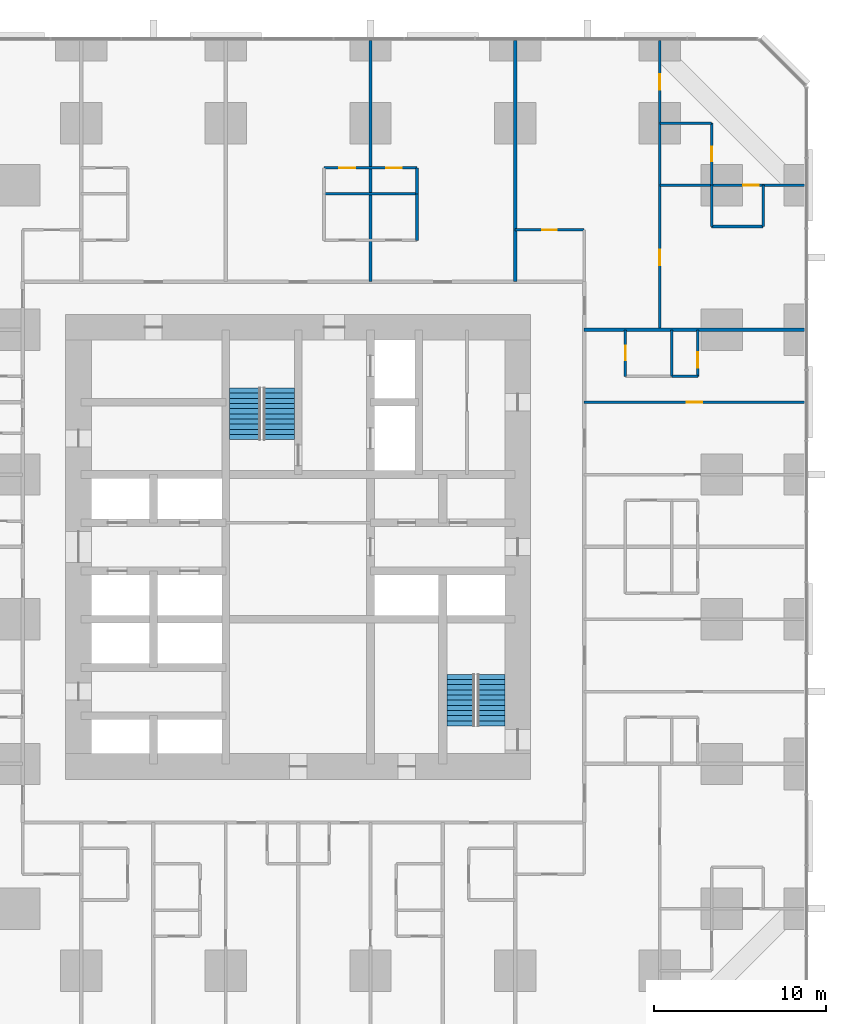
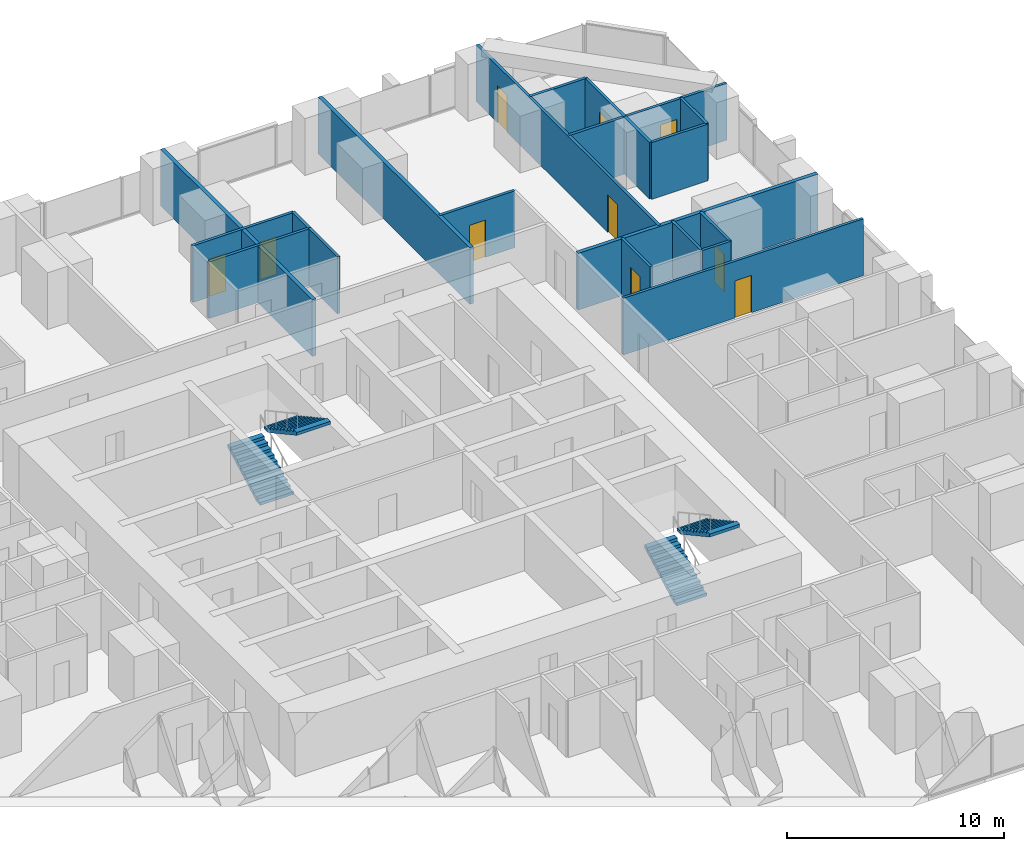
# One storey, part 15 of 16: 20 walls, 10 doors, 4 stair flights, 10 openings, 2 elements without a shape of their own.
"""IFC4 building model written with IfcOpenShell, lengths in metres."""

from ifc_helpers import new_model, si_unit, direction, frame, frame_2d, origin, place, context, subcontext, project, spatial, polyline, rectangle, outline, extrude, material, layer, layer_set, type_object, element, fill, aggregate, save


model = new_model("IFC4")

# Units and contexts
model_context = context("Model", 3, precision=1e-05, world=origin(), true_north=direction((0.0, 1.0)))
body_context = subcontext(model_context, "Body", "Model", "MODEL_VIEW")
ifc_project = project(units=[si_unit("LENGTHUNIT", "METRE"), si_unit("AREAUNIT", "SQUARE_METRE"), si_unit("VOLUMEUNIT", "CUBIC_METRE"), si_unit("PLANEANGLEUNIT", "RADIAN"), si_unit("MASSUNIT", "GRAM", prefix="KILO")], contexts=[model_context])

# Site, building, storey
site_placement = place(None, origin())
site = spatial("IfcSite", under=ifc_project, at=site_placement, CompositionType="ELEMENT")
building_placement = place(site_placement, origin())
building = spatial("IfcBuilding", under=site, at=building_placement, Name="Dunama Terrace Hotel", CompositionType="ELEMENT")
storey_placement = place(building_placement, frame((0.0, 0.0, 84.60009765625)))
storey = spatial("IfcBuildingStorey", under=building, at=storey_placement, Name="L21", CompositionType="ELEMENT", Elevation=84.60009765625)

# Wall
ifc_material_1 = material(Name="Gypsum board partition", Category="masonry")
ifc_layer_1 = layer(ifc_material_1, 0.14990234375)
ifc_layer_set_1 = layer_set([ifc_layer_1], Name="Bathroom partition 150")
wall_type_1 = type_object("IfcWallType", Name="Bathroom partition 150", PredefinedType="PARTITIONING", material=ifc_layer_set_1)
wall_1_placement = place(storey_placement, frame((36.300048828125, 47.199951171875, 0.0), z_axis=(0.0, 0.0, 1.0), x_axis=(0.0, 1.0, 0.0)))
element("IfcWall", 1, at=wall_1_placement, inside=storey, type_object=wall_type_1, Name="Bathroom partition 150 L21", PredefinedType="PARTITIONING", context=body_context, shape_type="SweptSolid", body=[
    extrude(rectangle(XDim=2.699951171875, YDim=0.14990234375, at=frame_2d((1.35009765625, 0.0))), origin(), (0.0, 0.0, 1.0), 3.199951171875),
])

# Wall, opening, door
wall_2_placement = place(storey_placement, frame((48.39990234375, 39.300048828125, 0.0), z_axis=(0.0, 0.0, 1.0), x_axis=(0.0, 1.0, 0.0)))
wall_2 = element("IfcWall", 2, at=wall_2_placement, inside=storey, type_object=wall_type_1, Name="Bathroom partition 150 L21", PredefinedType="PARTITIONING", context=body_context, shape_type="SweptSolid", body=[
    extrude(rectangle(XDim=2.699951171875, YDim=0.14990234375, at=frame_2d((1.35009765625, 0.0))), origin(), (0.0, 0.0, 1.0), 3.199951171875),
])
opening_1_placement = place(wall_2_placement, frame((0.925048828125, 0.0, 0.0)))
opening_1 = element("IfcOpeningElement", 3, at=opening_1_placement, cuts=wall_2, Name="Opening L21-032", PredefinedType="OPENING", context=body_context, shape_type="SweptSolid", body=[
    extrude(rectangle(XDim=0.85009765625, YDim=2.10009765625, at=frame_2d((0.425048828125, 1.050048828125))), frame((0.0, 0.0849609375, 0.0), z_axis=(0.0, -1.0, 0.0), x_axis=(1.0, 0.0, 0.0)), (0.0, 0.0, 1.0), 0.169921875),
])
ifc_material_2 = material(Name="Timber door with steel frame", Category="steel")
door_type_1 = type_object("IfcDoorType", Name="Bathroom door 850", OperationType="SINGLE_SWING_LEFT", PredefinedType="DOOR", material=ifc_material_2)
door_1_placement = place(opening_1_placement, frame((0.85009765625, 0.0, 0.0), z_axis=(0.0, 0.0, 1.0), x_axis=(-1.0, 0.0, 0.0)))
door_1 = element("IfcDoor", 4, at=door_1_placement, inside=storey, type_object=door_type_1, Name="Door to en-suite bathroom L21-032, type D2", OperationType="SINGLE_SWING_LEFT", OverallHeight=2.10009765625, OverallWidth=0.85009765625, PredefinedType="DOOR", context=body_context, shape_type="SweptSolid", body=[
    extrude(rectangle(XDim=0.85009765625, YDim=2.10009765625, at=frame_2d((0.425048828125, 1.050048828125))), frame((0.0, 0.025146484375, 0.0), z_axis=(0.0, -1.0, 0.0), x_axis=(1.0, 0.0, 0.0)), (0.0, 0.0, 1.0), 0.050048828125),
])
fill(opening_1, door_1)

wall_3_placement = place(storey_placement, frame((53.39990234375, 50.39990234375, 0.0), z_axis=(0.0, 0.0, 1.0), x_axis=(0.0, 1.0, 0.0)))
wall_3 = element("IfcWall", 5, at=wall_3_placement, inside=storey, type_object=wall_type_1, Name="Bathroom partition 150 L21", PredefinedType="PARTITIONING", context=body_context, shape_type="SweptSolid", body=[
    extrude(rectangle(XDim=3.60009765625, YDim=0.14990234375, at=frame_2d((1.800048828125, 0.0))), origin(), (0.0, 0.0, 1.0), 3.199951171875),
])
opening_2_placement = place(wall_3_placement, frame((1.375, 0.0, 0.0)))
opening_2 = element("IfcOpeningElement", 6, at=opening_2_placement, cuts=wall_3, Name="Opening L21-075", PredefinedType="OPENING", context=body_context, shape_type="SweptSolid", body=[
    extrude(rectangle(XDim=0.85009765625, YDim=2.10009765625, at=frame_2d((0.425048828125, 1.050048828125))), frame((0.0, 0.0849609375, 0.0), z_axis=(0.0, -1.0, 0.0), x_axis=(1.0, 0.0, 0.0)), (0.0, 0.0, 1.0), 0.169921875),
])
door_2_placement = place(opening_2_placement, origin())
door_2 = element("IfcDoor", 7, at=door_2_placement, inside=storey, type_object=door_type_1, Name="Door to en-suite bathroom L21-075, type D2", OperationType="SINGLE_SWING_LEFT", OverallHeight=2.10009765625, OverallWidth=0.85009765625, PredefinedType="DOOR", context=body_context, shape_type="SweptSolid", body=[
    extrude(rectangle(XDim=0.85009765625, YDim=2.10009765625, at=frame_2d((0.425048828125, 1.050048828125))), frame((0.0, 0.02490234375, 0.0), z_axis=(0.0, -1.0, 0.0), x_axis=(1.0, 0.0, 0.0)), (0.0, 0.0, 1.0), 0.050048828125),
])
fill(opening_2, door_2)

wall_4_placement = place(storey_placement, frame((42.0, 47.800048828125, 0.0), z_axis=(0.0, 0.0, 1.0), x_axis=(1.0, 0.0, 0.0)))
wall_4 = element("IfcWall", 8, at=wall_4_placement, inside=storey, type_object=wall_type_1, Name="Bathroom partition 150 L21", PredefinedType="PARTITIONING", context=body_context, shape_type="SweptSolid", body=[
    extrude(rectangle(XDim=4.0, YDim=0.14990234375, at=frame_2d((2.0, 0.0))), origin(), (0.0, 0.0, 1.0), 3.199951171875),
])
opening_3_placement = place(wall_4_placement, frame((1.574951171875, 0.0, 0.0)))
opening_3 = element("IfcOpeningElement", 9, at=opening_3_placement, cuts=wall_4, Name="Opening L21-073", PredefinedType="OPENING", context=body_context, shape_type="SweptSolid", body=[
    extrude(rectangle(XDim=0.85009765625, YDim=2.10009765625, at=frame_2d((0.425048828125, 1.050048828125))), frame((0.0, 0.0849609375, 0.0), z_axis=(0.0, -1.0, 0.0), x_axis=(1.0, 0.0, 0.0)), (0.0, 0.0, 1.0), 0.169921875),
])
door_3_placement = place(opening_3_placement, frame((0.85009765625, 0.0, 0.0), z_axis=(0.0, 0.0, 1.0), x_axis=(-1.0, 0.0, 0.0)))
door_3 = element("IfcDoor", 10, at=door_3_placement, inside=storey, type_object=door_type_1, Name="Door to powder room L21-073, type D2", OperationType="SINGLE_SWING_RIGHT", OverallHeight=2.10009765625, OverallWidth=0.85009765625, PredefinedType="DOOR", context=body_context, shape_type="SweptSolid", body=[
    extrude(rectangle(XDim=0.85009765625, YDim=2.10009765625, at=frame_2d((0.425048828125, 1.050048828125))), frame((0.0, 0.025146484375, 0.0), z_axis=(0.0, -1.0, 0.0), x_axis=(1.0, 0.0, 0.0)), (0.0, 0.0, 1.0), 0.050048828125),
])
fill(opening_3, door_3)

# Walls
wall_5_placement = place(storey_placement, frame((50.39990234375, 54.0, 0.0), z_axis=(0.0, 0.0, 1.0), x_axis=(1.0, 0.0, 0.0)))
element("IfcWall", 11, at=wall_5_placement, inside=storey, type_object=wall_type_1, Name="Bathroom partition 150 L21", PredefinedType="PARTITIONING", context=body_context, shape_type="SweptSolid", body=[
    extrude(rectangle(XDim=3.0, YDim=0.14990234375, at=frame_2d((1.5, 0.0))), origin(), (0.0, 0.0, 1.0), 3.199951171875),
])
ifc_material_3 = material(Name="Concrete blockwork", Category="masonry")
ifc_layer_2 = layer(ifc_material_3, 0.199951171875)
ifc_layer_set_2 = layer_set([ifc_layer_2], Name="Party wall 200")
wall_type_2 = type_object("IfcWallType", Name="Party wall 200", PredefinedType="PARTITIONING", material=ifc_layer_set_2)
for number, where, z_axis, x_axis, name in (
    (12, (33.60009765625, 44.800048828125, 0.0), (0.0, 0.0, 1.0), (0.0, 1.0, 0.0), "Party wall 200 L21"),
    (13, (42.0, 44.800048828125, 0.0), (0.0, 0.0, 1.0), (0.0, 1.0, 0.0), "Party wall 200 L21"),
):
    element("IfcWall", number, at=place(storey_placement, frame(where, z_axis=z_axis, x_axis=x_axis)), inside=storey, type_object=wall_type_2, Name=name, PredefinedType="PARTITIONING", context=body_context, shape_type="SweptSolid", body=[
        extrude(rectangle(XDim=14.008056640625, YDim=0.199951171875, at=frame_2d((7.00390625, 0.0))), origin(), (0.0, 0.0, 1.0), 3.199951171875),
    ])
wall_6_placement = place(storey_placement, frame((46.0, 42.0, 0.0), z_axis=(0.0, 0.0, 1.0), x_axis=(1.0, 0.0, 0.0)))
element("IfcWall", 14, at=wall_6_placement, inside=storey, type_object=wall_type_2, Name="Party wall 200 L21", PredefinedType="PARTITIONING", context=body_context, shape_type="SweptSolid", body=[
    extrude(rectangle(XDim=12.80810546875, YDim=0.199951171875, at=frame_2d((6.404052734375, 0.0))), origin(), (0.0, 0.0, 1.0), 3.199951171875),
])
ifc_material_4 = material(Name="Gypsum board partition", Category="masonry")
ifc_layer_3 = layer(ifc_material_4, 0.14990234375)
ifc_layer_set_3 = layer_set([ifc_layer_3], Name="Room partition 150")
wall_type_3 = type_object("IfcWallType", Name="Room partition 150", PredefinedType="PARTITIONING", material=ifc_layer_set_3)
wall_7_placement = place(storey_placement, frame((36.300048828125, 49.89990234375, 0.0), z_axis=(0.0, 0.0, 1.0), x_axis=(0.0, 1.0, 0.0)))
element("IfcWall", 15, at=wall_7_placement, inside=storey, type_object=wall_type_3, Name="Room partition 150 L21", PredefinedType="PARTITIONING", context=body_context, shape_type="SweptSolid", body=[
    extrude(rectangle(XDim=1.5, YDim=0.14990234375, at=frame_2d((0.75, 0.0))), origin(), (0.0, 0.0, 1.0), 3.199951171875),
])

# Wall, openings, doors
wall_8_placement = place(storey_placement, frame((50.39990234375, 42.0, 0.0), z_axis=(0.0, 0.0, 1.0), x_axis=(0.0, 1.0, 0.0)))
wall_8 = element("IfcWall", 16, at=wall_8_placement, inside=storey, type_object=wall_type_3, Name="Room partition 150 L21", PredefinedType="PARTITIONING", context=body_context, shape_type="SweptSolid", body=[
    extrude(rectangle(XDim=16.80810546875, YDim=0.14990234375, at=frame_2d((8.404052734375, 0.0))), origin(), (0.0, 0.0, 1.0), 3.199951171875),
])
opening_4_placement = place(wall_8_placement, frame((13.949951171875, 0.0, 0.0)))
opening_4 = element("IfcOpeningElement", 17, at=opening_4_placement, cuts=wall_8, Name="Opening L21-074", PredefinedType="OPENING", context=body_context, shape_type="SweptSolid", body=[
    extrude(rectangle(XDim=0.89990234375, YDim=2.10009765625, at=frame_2d((0.449951171875, 1.050048828125))), frame((0.0, 0.0849609375, 0.0), z_axis=(0.0, -1.0, 0.0), x_axis=(1.0, 0.0, 0.0)), (0.0, 0.0, 1.0), 0.169921875),
])
opening_5_placement = place(wall_8_placement, frame((3.75, 0.0, 0.0)))
opening_5 = element("IfcOpeningElement", 18, at=opening_5_placement, cuts=wall_8, Name="Opening L21-077", PredefinedType="OPENING", context=body_context, shape_type="SweptSolid", body=[
    extrude(rectangle(XDim=0.89990234375, YDim=2.10009765625, at=frame_2d((0.449951171875, 1.050048828125))), frame((0.0, 0.0849609375, 0.0), z_axis=(0.0, -1.0, 0.0), x_axis=(1.0, 0.0, 0.0)), (0.0, 0.0, 1.0), 0.169921875),
])
ifc_material_5 = material(Name="Timber door with steel frame", Category="steel")
door_type_2 = type_object("IfcDoorType", Name="Suite internal door 900", OperationType="SINGLE_SWING_LEFT", PredefinedType="DOOR", material=ifc_material_5)
door_4_placement = place(opening_4_placement, frame((0.89990234375, 0.0, 0.0), z_axis=(0.0, 0.0, 1.0), x_axis=(-1.0, 0.0, 0.0)))
door_4 = element("IfcDoor", 19, at=door_4_placement, inside=storey, type_object=door_type_2, Name="Door to corner suite bedroom L21-074, type D16", OperationType="SINGLE_SWING_LEFT", OverallHeight=2.10009765625, OverallWidth=0.89990234375, PredefinedType="DOOR", context=body_context, shape_type="SweptSolid", body=[
    extrude(rectangle(XDim=0.89990234375, YDim=2.10009765625, at=frame_2d((0.449951171875, 1.050048828125))), frame((0.0, 0.025146484375, 0.0), z_axis=(0.0, -1.0, 0.0), x_axis=(1.0, 0.0, 0.0)), (0.0, 0.0, 1.0), 0.050048828125),
])
fill(opening_4, door_4)
door_5_placement = place(opening_5_placement, frame((0.89990234375, 0.0, 0.0), z_axis=(0.0, 0.0, 1.0), x_axis=(-1.0, 0.0, 0.0)))
door_5 = element("IfcDoor", 20, at=door_5_placement, inside=storey, type_object=door_type_2, Name="Door to corner suite study L21-077, type D16", OperationType="SINGLE_SWING_LEFT", OverallHeight=2.10009765625, OverallWidth=0.89990234375, PredefinedType="DOOR", context=body_context, shape_type="SweptSolid", body=[
    extrude(rectangle(XDim=0.89990234375, YDim=2.10009765625, at=frame_2d((0.449951171875, 1.050048828125))), frame((0.0, 0.025146484375, 0.0), z_axis=(0.0, -1.0, 0.0), x_axis=(1.0, 0.0, 0.0)), (0.0, 0.0, 1.0), 0.050048828125),
])
fill(opening_5, door_5)

# Wall
wall_9_placement = place(storey_placement, frame((51.10009765625, 39.300048828125, 0.0), z_axis=(0.0, 0.0, 1.0), x_axis=(0.0, 1.0, 0.0)))
element("IfcWall", 21, at=wall_9_placement, inside=storey, type_object=wall_type_3, Name="Room partition 150 L21", PredefinedType="PARTITIONING", context=body_context, shape_type="SweptSolid", body=[
    extrude(rectangle(XDim=2.699951171875, YDim=0.14990234375, at=frame_2d((1.35009765625, 0.0))), origin(), (0.0, 0.0, 1.0), 3.199951171875),
])

# Wall, opening, door
wall_10_placement = place(storey_placement, frame((52.60009765625, 39.300048828125, 0.0), z_axis=(0.0, 0.0, 1.0), x_axis=(0.0, 1.0, 0.0)))
wall_10 = element("IfcWall", 22, at=wall_10_placement, inside=storey, type_object=wall_type_3, Name="Room partition 150 L21", PredefinedType="PARTITIONING", context=body_context, shape_type="SweptSolid", body=[
    extrude(rectangle(XDim=2.699951171875, YDim=0.14990234375, at=frame_2d((1.35009765625, 0.0))), origin(), (0.0, 0.0, 1.0), 3.199951171875),
])
opening_6_placement = place(wall_10_placement, frame((0.5, 0.0, 0.0)))
opening_6 = element("IfcOpeningElement", 23, at=opening_6_placement, cuts=wall_10, Name="Opening L21-033", PredefinedType="OPENING", context=body_context, shape_type="SweptSolid", body=[
    extrude(rectangle(XDim=0.89990234375, YDim=2.10009765625, at=frame_2d((0.449951171875, 1.050048828125))), frame((0.0, 0.0849609375, 0.0), z_axis=(0.0, -1.0, 0.0), x_axis=(1.0, 0.0, 0.0)), (0.0, 0.0, 1.0), 0.169921875),
])
door_6_placement = place(opening_6_placement, origin())
door_6 = element("IfcDoor", 24, at=door_6_placement, inside=storey, type_object=door_type_2, Name="Door to walk-in wardrobe L21-033, type D16", OperationType="SINGLE_SWING_RIGHT", OverallHeight=2.10009765625, OverallWidth=0.89990234375, PredefinedType="DOOR", context=body_context, shape_type="SweptSolid", body=[
    extrude(rectangle(XDim=0.89990234375, YDim=2.10009765625, at=frame_2d((0.449951171875, 1.050048828125))), frame((0.0, 0.02490234375, 0.0), z_axis=(0.0, -1.0, 0.0), x_axis=(1.0, 0.0, 0.0)), (0.0, 0.0, 1.0), 0.050048828125),
])
fill(opening_6, door_6)

# Walls
for number, where, z_axis, x_axis, name in (
    (25, (53.39990234375, 48.0, 0.0), (0.0, 0.0, 1.0), (0.0, 1.0, 0.0), "Room partition 150 L21"),
    (26, (56.39990234375, 48.0, 0.0), (0.0, 0.0, 1.0), (0.0, 1.0, 0.0), "Room partition 150 L21"),
):
    element("IfcWall", number, at=place(storey_placement, frame(where, z_axis=z_axis, x_axis=x_axis)), inside=storey, type_object=wall_type_3, Name=name, PredefinedType="PARTITIONING", context=body_context, shape_type="SweptSolid", body=[
        extrude(rectangle(XDim=2.39990234375, YDim=0.14990234375, at=frame_2d((1.199951171875, 0.0))), origin(), (0.0, 0.0, 1.0), 3.199951171875),
    ])

# Wall, opening, door
wall_11_placement = place(storey_placement, frame((46.0, 37.800048828125, 0.0), z_axis=(0.0, 0.0, 1.0), x_axis=(1.0, 0.0, 0.0)))
wall_11 = element("IfcWall", 27, at=wall_11_placement, inside=storey, type_object=wall_type_3, Name="Room partition 150 L21", PredefinedType="PARTITIONING", context=body_context, shape_type="SweptSolid", body=[
    extrude(rectangle(XDim=12.80810546875, YDim=0.14990234375, at=frame_2d((6.404052734375, 0.0))), origin(), (0.0, 0.0, 1.0), 3.199951171875),
])
opening_7_placement = place(wall_11_placement, frame((5.949951171875, 0.0, 0.0)))
opening_7 = element("IfcOpeningElement", 28, at=opening_7_placement, cuts=wall_11, Name="Opening L21-031", PredefinedType="OPENING", context=body_context, shape_type="SweptSolid", body=[
    extrude(rectangle(XDim=0.89990234375, YDim=2.10009765625, at=frame_2d((0.449951171875, 1.050048828125))), frame((0.0, 0.0849609375, 0.0), z_axis=(0.0, -1.0, 0.0), x_axis=(1.0, 0.0, 0.0)), (0.0, 0.0, 1.0), 0.169921875),
])
door_7_placement = place(opening_7_placement, origin())
door_7 = element("IfcDoor", 29, at=door_7_placement, inside=storey, type_object=door_type_2, Name="Door to family suite bedroom L21-031, type D16", OperationType="SINGLE_SWING_LEFT", OverallHeight=2.10009765625, OverallWidth=0.89990234375, PredefinedType="DOOR", context=body_context, shape_type="SweptSolid", body=[
    extrude(rectangle(XDim=0.89990234375, YDim=2.10009765625, at=frame_2d((0.449951171875, 1.050048828125))), frame((0.0, 0.02490234375, 0.0), z_axis=(0.0, -1.0, 0.0), x_axis=(1.0, 0.0, 0.0)), (0.0, 0.0, 1.0), 0.050048828125),
])
fill(opening_7, door_7)

# Walls
wall_12_placement = place(storey_placement, frame((51.10009765625, 39.300048828125, 0.0), z_axis=(0.0, 0.0, 1.0), x_axis=(1.0, 0.0, 0.0)))
element("IfcWall", 30, at=wall_12_placement, inside=storey, type_object=wall_type_3, Name="Room partition 150 L21", PredefinedType="PARTITIONING", context=body_context, shape_type="SweptSolid", body=[
    extrude(rectangle(XDim=1.5, YDim=0.14990234375, at=frame_2d((0.75, 0.0))), origin(), (0.0, 0.0, 1.0), 3.199951171875),
])
wall_13_placement = place(storey_placement, frame((53.39990234375, 48.0, 0.0), z_axis=(0.0, 0.0, 1.0), x_axis=(1.0, 0.0, 0.0)))
element("IfcWall", 31, at=wall_13_placement, inside=storey, type_object=wall_type_3, Name="Room partition 150 L21", PredefinedType="PARTITIONING", context=body_context, shape_type="SweptSolid", body=[
    extrude(rectangle(XDim=3.0, YDim=0.14990234375, at=frame_2d((1.5, 0.0))), origin(), (0.0, 0.0, 1.0), 3.199951171875),
])
wall_14_placement = place(storey_placement, frame((30.89990234375, 49.89990234375, 0.0), z_axis=(0.0, 0.0, 1.0), x_axis=(1.0, 0.0, 0.0)))
element("IfcWall", 32, at=wall_14_placement, inside=storey, type_object=wall_type_3, Name="Room partition 150 L21", PredefinedType="PARTITIONING", context=body_context, shape_type="SweptSolid", body=[
    extrude(rectangle(XDim=5.400146484375, YDim=0.14990234375, at=frame_2d((2.7001953125, 0.0))), origin(), (0.0, 0.0, 1.0), 3.199951171875),
])

# Wall, opening, door
wall_15_placement = place(storey_placement, frame((50.39990234375, 50.39990234375, 0.0), z_axis=(0.0, 0.0, 1.0), x_axis=(1.0, 0.0, 0.0)))
wall_15 = element("IfcWall", 33, at=wall_15_placement, inside=storey, type_object=wall_type_3, Name="Room partition 150 L21", PredefinedType="PARTITIONING", context=body_context, shape_type="SweptSolid", body=[
    extrude(rectangle(XDim=8.408203125, YDim=0.14990234375, at=frame_2d((4.2041015625, 0.0))), origin(), (0.0, 0.0, 1.0), 3.199951171875),
])
opening_8_placement = place(wall_15_placement, frame((4.85009765625, 0.0, 0.0)))
opening_8 = element("IfcOpeningElement", 34, at=opening_8_placement, cuts=wall_15, Name="Opening L21-076", PredefinedType="OPENING", context=body_context, shape_type="SweptSolid", body=[
    extrude(rectangle(XDim=0.89990234375, YDim=2.10009765625, at=frame_2d((0.449951171875, 1.050048828125))), frame((0.0, 0.0849609375, 0.0), z_axis=(0.0, -1.0, 0.0), x_axis=(1.0, 0.0, 0.0)), (0.0, 0.0, 1.0), 0.169921875),
])
door_8_placement = place(opening_8_placement, frame((0.89990234375, 0.0, 0.0), z_axis=(0.0, 0.0, 1.0), x_axis=(-1.0, 0.0, 0.0)))
door_8 = element("IfcDoor", 35, at=door_8_placement, inside=storey, type_object=door_type_2, Name="Door to dressing room L21-076, type D16", OperationType="SINGLE_SWING_RIGHT", OverallHeight=2.10009765625, OverallWidth=0.89990234375, PredefinedType="DOOR", context=body_context, shape_type="SweptSolid", body=[
    extrude(rectangle(XDim=0.89990234375, YDim=2.10009765625, at=frame_2d((0.449951171875, 1.050048828125))), frame((0.0, 0.025146484375, 0.0), z_axis=(0.0, -1.0, 0.0), x_axis=(1.0, 0.0, 0.0)), (0.0, 0.0, 1.0), 0.050048828125),
])
fill(opening_8, door_8)

# Wall, openings, doors
wall_16_placement = place(storey_placement, frame((30.89990234375, 51.39990234375, 0.0), z_axis=(0.0, 0.0, 1.0), x_axis=(1.0, 0.0, 0.0)))
wall_16 = element("IfcWall", 36, at=wall_16_placement, inside=storey, type_object=wall_type_3, Name="Room partition 150 L21", PredefinedType="PARTITIONING", context=body_context, shape_type="SweptSolid", body=[
    extrude(rectangle(XDim=5.400146484375, YDim=0.14990234375, at=frame_2d((2.7001953125, 0.0))), origin(), (0.0, 0.0, 1.0), 3.199951171875),
])
opening_9_placement = place(wall_16_placement, frame((0.89990234375, 0.0, 0.0)))
opening_9 = element("IfcOpeningElement", 37, at=opening_9_placement, cuts=wall_16, Name="Opening L21-042", PredefinedType="OPENING", context=body_context, shape_type="SweptSolid", body=[
    extrude(rectangle(XDim=0.89990234375, YDim=2.10009765625, at=frame_2d((0.449951171875, 1.050048828125))), frame((0.0, 0.0849609375, 0.0), z_axis=(0.0, -1.0, 0.0), x_axis=(1.0, 0.0, 0.0)), (0.0, 0.0, 1.0), 0.169921875),
])
opening_10_placement = place(wall_16_placement, frame((3.60009765625, 0.0, 0.0)))
opening_10 = element("IfcOpeningElement", 38, at=opening_10_placement, cuts=wall_16, Name="Opening L21-045", PredefinedType="OPENING", context=body_context, shape_type="SweptSolid", body=[
    extrude(rectangle(XDim=0.89990234375, YDim=2.10009765625, at=frame_2d((0.449951171875, 1.050048828125))), frame((0.0, 0.0849609375, 0.0), z_axis=(0.0, -1.0, 0.0), x_axis=(1.0, 0.0, 0.0)), (0.0, 0.0, 1.0), 0.169921875),
])
door_9_placement = place(opening_9_placement, frame((0.89990234375, 0.0, 0.0), z_axis=(0.0, 0.0, 1.0), x_axis=(-1.0, 0.0, 0.0)))
door_9 = element("IfcDoor", 39, at=door_9_placement, inside=storey, type_object=door_type_2, Name="Door to walk-in wardrobe L21-042, type D16", OperationType="SINGLE_SWING_RIGHT", OverallHeight=2.10009765625, OverallWidth=0.89990234375, PredefinedType="DOOR", context=body_context, shape_type="SweptSolid", body=[
    extrude(rectangle(XDim=0.89990234375, YDim=2.10009765625, at=frame_2d((0.449951171875, 1.050048828125))), frame((0.0, 0.025146484375, 0.0), z_axis=(0.0, -1.0, 0.0), x_axis=(1.0, 0.0, 0.0)), (0.0, 0.0, 1.0), 0.050048828125),
])
fill(opening_9, door_9)
door_10_placement = place(opening_10_placement, frame((0.89990234375, 0.0, 0.0), z_axis=(0.0, 0.0, 1.0), x_axis=(-1.0, 0.0, 0.0)))
door_10 = element("IfcDoor", 40, at=door_10_placement, inside=storey, type_object=door_type_2, Name="Door to walk-in wardrobe L21-045, type D16", OperationType="SINGLE_SWING_RIGHT", OverallHeight=2.10009765625, OverallWidth=0.89990234375, PredefinedType="DOOR", context=body_context, shape_type="SweptSolid", body=[
    extrude(rectangle(XDim=0.89990234375, YDim=2.10009765625, at=frame_2d((0.449951171875, 1.050048828125))), frame((0.0, 0.025146484375, 0.0), z_axis=(0.0, -1.0, 0.0), x_axis=(1.0, 0.0, 0.0)), (0.0, 0.0, 1.0), 0.050048828125),
])
fill(opening_10, door_10)

# Stair, stair flights
ifc_material_6 = material(Name="Concrete C40/50", Category="concrete")
stair_type_1 = type_object("IfcStairType", Name="Stair ST1-3600-1800", PredefinedType="HALF_TURN_STAIR", material=ifc_material_6)
stair_1_placement = place(storey_placement, origin())
stair_1 = element("IfcStair", 41, at=stair_1_placement, inside=storey, type_object=stair_type_1, Name="Stair ST1 L21", PredefinedType="HALF_TURN_STAIR")
ifc_material_7 = material(Name="Concrete C40/50", Category="concrete")
stair_flight_type_1 = type_object("IfcStairFlightType", Name="Stair flight ST1-3600-1800", PredefinedType="STRAIGHT", material=ifc_material_7)
stair_flight_1_placement = place(storey_placement, frame((26.324951171875, 35.625, 0.0), z_axis=(0.0, 0.0, 1.0), x_axis=(0.0, 1.0, 0.0)))
stair_flight_1 = element("IfcStairFlight", 42, at=stair_flight_1_placement, type_object=stair_flight_type_1, Name="ST1 flight 1", NumberOfRisers=11, NumberOfTreads=10, PredefinedType="STRAIGHT", RiserHeight=0.163636364, TreadLength=0.3, context=body_context, shape_type="SweptSolid", body=[
    extrude(outline(polyline([(0.0, 0.0), (0.0, 0.16357421875), (0.300048828125, 0.16357421875), (0.300048828125, 0.327392578125), (0.60009765625, 0.327392578125), (0.60009765625, 0.490966796875), (0.89990234375, 0.490966796875), (0.89990234375, 0.654541015625), (1.199951171875, 0.654541015625), (1.199951171875, 0.818115234375), (1.5, 0.818115234375), (1.5, 0.98193359375), (1.800048828125, 0.98193359375), (1.800048828125, 1.1455078125), (2.10009765625, 1.1455078125), (2.10009765625, 1.30908203125), (2.39990234375, 1.30908203125), (2.39990234375, 1.47265625), (2.699951171875, 1.47265625), (2.699951171875, 1.636474609375), (3.0, 1.636474609375), (3.0, 1.800048828125), (3.0, 1.465576171875), (0.31298828125, 0.0), (0.0, 0.0)])), frame((0.0, 0.89990234375, 0.0), z_axis=(0.0, -1.0, 0.0), x_axis=(1.0, 0.0, 0.0)), (0.0, 0.0, 1.0), 1.800048828125),
])
stair_flight_2_placement = place(storey_placement, frame((28.27490234375, 38.625, 1.7998046875), z_axis=(0.0, 0.0, 1.0), x_axis=(0.0, -1.0, 0.0)))
stair_flight_2 = element("IfcStairFlight", 43, at=stair_flight_2_placement, type_object=stair_flight_type_1, Name="ST1 flight 2", NumberOfRisers=11, NumberOfTreads=10, PredefinedType="STRAIGHT", RiserHeight=0.163636364, TreadLength=0.3, context=body_context, shape_type="SweptSolid", body=[
    extrude(outline(polyline([(0.0, 0.0), (0.0, 0.16357421875), (0.300048828125, 0.16357421875), (0.300048828125, 0.327392578125), (0.60009765625, 0.327392578125), (0.60009765625, 0.490966796875), (0.89990234375, 0.490966796875), (0.89990234375, 0.654541015625), (1.199951171875, 0.654541015625), (1.199951171875, 0.818115234375), (1.5, 0.818115234375), (1.5, 0.98193359375), (1.800048828125, 0.98193359375), (1.800048828125, 1.1455078125), (2.10009765625, 1.1455078125), (2.10009765625, 1.30908203125), (2.39990234375, 1.30908203125), (2.39990234375, 1.47265625), (2.699951171875, 1.47265625), (2.699951171875, 1.636474609375), (3.0, 1.636474609375), (3.0, 1.800048828125), (3.0, 1.465576171875), (0.31298828125, 0.0), (0.0, 0.0)])), frame((0.0, 0.89990234375, 0.0), z_axis=(0.0, -1.0, 0.0), x_axis=(1.0, 0.0, 0.0)), (0.0, 0.0, 1.0), 1.800048828125),
])
aggregate(stair_1, [stair_flight_1, stair_flight_2])

ifc_material_8 = material(Name="Concrete C40/50", Category="concrete")
stair_type_2 = type_object("IfcStairType", Name="Stair ST2-3600-1600", PredefinedType="HALF_TURN_STAIR", material=ifc_material_8)
stair_2_placement = place(storey_placement, origin())
stair_2 = element("IfcStair", 44, at=stair_2_placement, inside=storey, type_object=stair_type_2, Name="Stair ST2 L21", PredefinedType="HALF_TURN_STAIR")
ifc_material_9 = material(Name="Concrete C40/50", Category="concrete")
stair_flight_type_2 = type_object("IfcStairFlightType", Name="Stair flight ST2-3600-1600", PredefinedType="STRAIGHT", material=ifc_material_9)
stair_flight_3_placement = place(storey_placement, frame((38.85009765625, 19.0, 0.0), z_axis=(0.0, 0.0, 1.0), x_axis=(0.0, 1.0, 0.0)))
stair_flight_3 = element("IfcStairFlight", 45, at=stair_flight_3_placement, type_object=stair_flight_type_2, Name="ST2 flight 1", NumberOfRisers=11, NumberOfTreads=10, PredefinedType="STRAIGHT", RiserHeight=0.163636364, TreadLength=0.3, context=body_context, shape_type="SweptSolid", body=[
    extrude(outline(polyline([(0.0, 0.0), (0.0, 0.16357421875), (0.300048828125, 0.16357421875), (0.300048828125, 0.327392578125), (0.60009765625, 0.327392578125), (0.60009765625, 0.490966796875), (0.89990234375, 0.490966796875), (0.89990234375, 0.654541015625), (1.199951171875, 0.654541015625), (1.199951171875, 0.818115234375), (1.5, 0.818115234375), (1.5, 0.98193359375), (1.800048828125, 0.98193359375), (1.800048828125, 1.1455078125), (2.10009765625, 1.1455078125), (2.10009765625, 1.30908203125), (2.39990234375, 1.30908203125), (2.39990234375, 1.47265625), (2.699951171875, 1.47265625), (2.699951171875, 1.636474609375), (3.0, 1.636474609375), (3.0, 1.800048828125), (3.0, 1.465576171875), (0.31298828125, 0.0), (0.0, 0.0)])), frame((0.0, 0.800048828125, 0.0), z_axis=(0.0, -1.0, 0.0), x_axis=(1.0, 0.0, 0.0)), (0.0, 0.0, 1.0), 1.60009765625),
])
stair_flight_4_placement = place(storey_placement, frame((40.60009765625, 22.0, 1.7998046875), z_axis=(0.0, 0.0, 1.0), x_axis=(0.0, -1.0, 0.0)))
stair_flight_4 = element("IfcStairFlight", 46, at=stair_flight_4_placement, type_object=stair_flight_type_2, Name="ST2 flight 2", NumberOfRisers=11, NumberOfTreads=10, PredefinedType="STRAIGHT", RiserHeight=0.163636364, TreadLength=0.3, context=body_context, shape_type="SweptSolid", body=[
    extrude(outline(polyline([(0.0, 0.0), (0.0, 0.16357421875), (0.300048828125, 0.16357421875), (0.300048828125, 0.327392578125), (0.60009765625, 0.327392578125), (0.60009765625, 0.490966796875), (0.89990234375, 0.490966796875), (0.89990234375, 0.654541015625), (1.199951171875, 0.654541015625), (1.199951171875, 0.818115234375), (1.5, 0.818115234375), (1.5, 0.98193359375), (1.800048828125, 0.98193359375), (1.800048828125, 1.1455078125), (2.10009765625, 1.1455078125), (2.10009765625, 1.30908203125), (2.39990234375, 1.30908203125), (2.39990234375, 1.47265625), (2.699951171875, 1.47265625), (2.699951171875, 1.636474609375), (3.0, 1.636474609375), (3.0, 1.800048828125), (3.0, 1.465576171875), (0.31298828125, 0.0), (0.0, 0.0)])), frame((0.0, 0.800048828125, 0.0), z_axis=(0.0, -1.0, 0.0), x_axis=(1.0, 0.0, 0.0)), (0.0, 0.0, 1.0), 1.60009765625),
])
aggregate(stair_2, [stair_flight_3, stair_flight_4])

save(model, "model.ifc")
